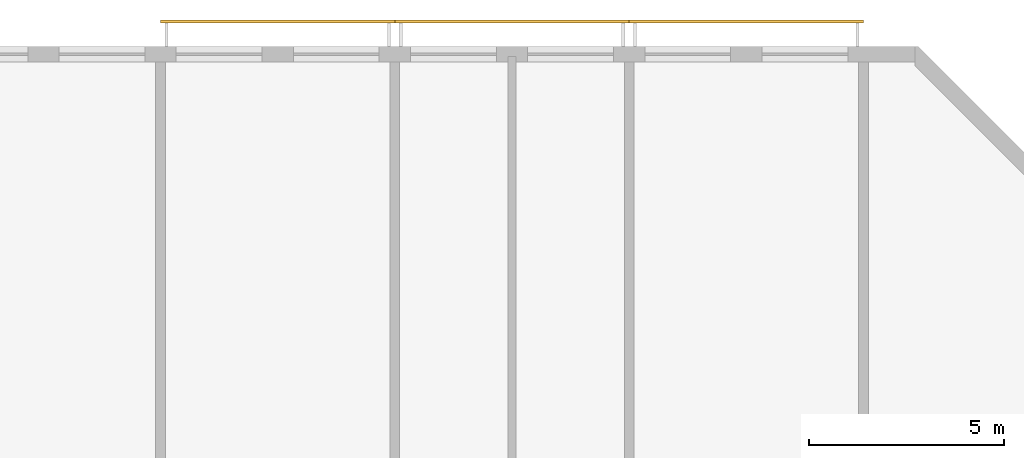
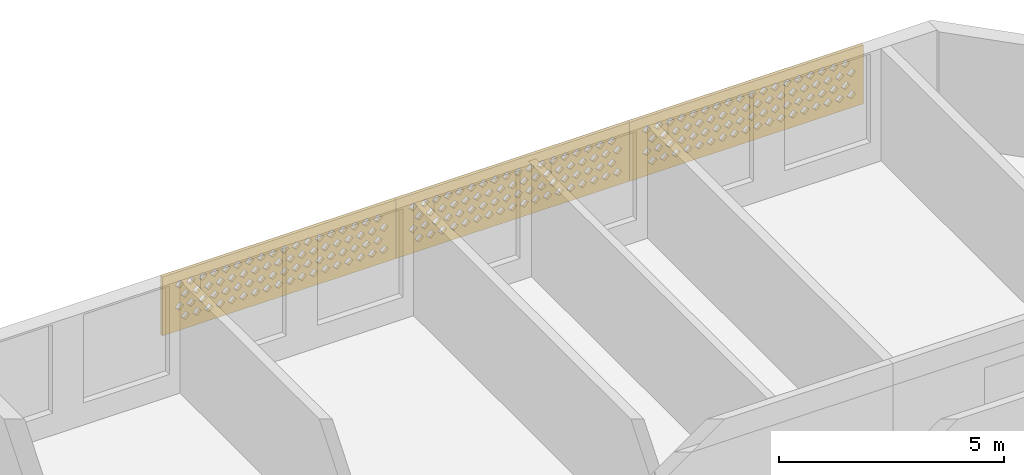
# One storey, part 17 of 18: 3 coverings.
"""IFC4 building model written with IfcOpenShell, lengths in metres."""

from ifc_helpers import new_model, si_unit, direction, frame, origin, place, context, subcontext, project, spatial, polyline, outline, extrude, source, transform, mapped, material, material_profile, profile_set, type_object, element, save


model = new_model("IFC4")

# Units and contexts
model_context = context("Model", 3, precision=1e-05, world=origin(), true_north=direction((0.0, 1.0)))
body_context = subcontext(model_context, "Body", "Model", "MODEL_VIEW")
ifc_project = project(units=[si_unit("LENGTHUNIT", "METRE"), si_unit("AREAUNIT", "SQUARE_METRE"), si_unit("VOLUMEUNIT", "CUBIC_METRE"), si_unit("PLANEANGLEUNIT", "RADIAN"), si_unit("MASSUNIT", "GRAM", prefix="KILO")], contexts=[model_context])

# Site, building, storey
site_placement = place(None, origin())
site = spatial("IfcSite", under=ifc_project, at=site_placement, CompositionType="ELEMENT")
building_placement = place(site_placement, origin())
building = spatial("IfcBuilding", under=site, at=building_placement, Name="Poui Terraces", CompositionType="ELEMENT")
storey_placement = place(building_placement, frame((0.0, 0.0, 275.699951171875)))
storey = spatial("IfcBuildingStorey", under=building, at=storey_placement, Name="L76 CROWN", CompositionType="ELEMENT", Elevation=275.699951171875)

# Coverings
ifc_material = material(Name="Terracotta screen", Category="masonry")
ifc_material_profile = material_profile(ifc_material, outline(polyline([(-3.0, -0.800048828125), (3.0, -0.800048828125), (3.0, 0.800048828125), (-3.0, 0.800048828125), (-3.0, -0.800048828125)]), holes=[polyline([(-2.800048828125, -0.449951171875), (-2.68994140625, -0.56005859375), (-2.580078125, -0.449951171875), (-2.68994140625, -0.340087890625), (-2.800048828125, -0.449951171875)]), polyline([(-2.5, -0.449951171875), (-2.389892578125, -0.56005859375), (-2.280029296875, -0.449951171875), (-2.389892578125, -0.340087890625), (-2.5, -0.449951171875)]), polyline([(-2.199951171875, -0.449951171875), (-2.090087890625, -0.56005859375), (-1.97998046875, -0.449951171875), (-2.090087890625, -0.340087890625), (-2.199951171875, -0.449951171875)]), polyline([(-1.89990234375, -0.449951171875), (-1.7900390625, -0.56005859375), (-1.679931640625, -0.449951171875), (-1.7900390625, -0.340087890625), (-1.89990234375, -0.449951171875)]), polyline([(-1.60009765625, -0.449951171875), (-1.489990234375, -0.56005859375), (-1.3798828125, -0.449951171875), (-1.489990234375, -0.340087890625), (-1.60009765625, -0.449951171875)]), polyline([(-1.300048828125, -0.449951171875), (-1.18994140625, -0.56005859375), (-1.080078125, -0.449951171875), (-1.18994140625, -0.340087890625), (-1.300048828125, -0.449951171875)]), polyline([(-1.0, -0.449951171875), (-0.889892578125, -0.56005859375), (-0.780029296875, -0.449951171875), (-0.889892578125, -0.340087890625), (-1.0, -0.449951171875)]), polyline([(-0.699951171875, -0.449951171875), (-0.590087890625, -0.56005859375), (-0.47998046875, -0.449951171875), (-0.590087890625, -0.340087890625), (-0.699951171875, -0.449951171875)]), polyline([(-0.39990234375, -0.449951171875), (-0.2900390625, -0.56005859375), (-0.179931640625, -0.449951171875), (-0.2900390625, -0.340087890625), (-0.39990234375, -0.449951171875)]), polyline([(-0.10009765625, -0.449951171875), (0.010009765625, -0.56005859375), (0.1201171875, -0.449951171875), (0.010009765625, -0.340087890625), (-0.10009765625, -0.449951171875)]), polyline([(0.199951171875, -0.449951171875), (0.31005859375, -0.56005859375), (0.419921875, -0.449951171875), (0.31005859375, -0.340087890625), (0.199951171875, -0.449951171875)]), polyline([(0.5, -0.449951171875), (0.610107421875, -0.56005859375), (0.719970703125, -0.449951171875), (0.610107421875, -0.340087890625), (0.5, -0.449951171875)]), polyline([(0.800048828125, -0.449951171875), (0.909912109375, -0.56005859375), (1.02001953125, -0.449951171875), (0.909912109375, -0.340087890625), (0.800048828125, -0.449951171875)]), polyline([(1.10009765625, -0.449951171875), (1.2099609375, -0.56005859375), (1.320068359375, -0.449951171875), (1.2099609375, -0.340087890625), (1.10009765625, -0.449951171875)]), polyline([(1.39990234375, -0.449951171875), (1.510009765625, -0.56005859375), (1.6201171875, -0.449951171875), (1.510009765625, -0.340087890625), (1.39990234375, -0.449951171875)]), polyline([(1.699951171875, -0.449951171875), (1.81005859375, -0.56005859375), (1.919921875, -0.449951171875), (1.81005859375, -0.340087890625), (1.699951171875, -0.449951171875)]), polyline([(2.0, -0.449951171875), (2.110107421875, -0.56005859375), (2.219970703125, -0.449951171875), (2.110107421875, -0.340087890625), (2.0, -0.449951171875)]), polyline([(2.300048828125, -0.449951171875), (2.409912109375, -0.56005859375), (2.52001953125, -0.449951171875), (2.409912109375, -0.340087890625), (2.300048828125, -0.449951171875)]), polyline([(-2.64990234375, -0.14990234375), (-2.5400390625, -0.260009765625), (-2.429931640625, -0.14990234375), (-2.5400390625, -0.0400390625), (-2.64990234375, -0.14990234375)]), polyline([(-2.35009765625, -0.14990234375), (-2.239990234375, -0.260009765625), (-2.1298828125, -0.14990234375), (-2.239990234375, -0.0400390625), (-2.35009765625, -0.14990234375)]), polyline([(-2.050048828125, -0.14990234375), (-1.93994140625, -0.260009765625), (-1.830078125, -0.14990234375), (-1.93994140625, -0.0400390625), (-2.050048828125, -0.14990234375)]), polyline([(-1.75, -0.14990234375), (-1.639892578125, -0.260009765625), (-1.530029296875, -0.14990234375), (-1.639892578125, -0.0400390625), (-1.75, -0.14990234375)]), polyline([(-1.449951171875, -0.14990234375), (-1.340087890625, -0.260009765625), (-1.22998046875, -0.14990234375), (-1.340087890625, -0.0400390625), (-1.449951171875, -0.14990234375)]), polyline([(-1.14990234375, -0.14990234375), (-1.0400390625, -0.260009765625), (-0.929931640625, -0.14990234375), (-1.0400390625, -0.0400390625), (-1.14990234375, -0.14990234375)]), polyline([(-0.85009765625, -0.14990234375), (-0.739990234375, -0.260009765625), (-0.6298828125, -0.14990234375), (-0.739990234375, -0.0400390625), (-0.85009765625, -0.14990234375)]), polyline([(-0.550048828125, -0.14990234375), (-0.43994140625, -0.260009765625), (-0.330078125, -0.14990234375), (-0.43994140625, -0.0400390625), (-0.550048828125, -0.14990234375)]), polyline([(-0.25, -0.14990234375), (-0.139892578125, -0.260009765625), (-0.030029296875, -0.14990234375), (-0.139892578125, -0.0400390625), (-0.25, -0.14990234375)]), polyline([(0.050048828125, -0.14990234375), (0.159912109375, -0.260009765625), (0.27001953125, -0.14990234375), (0.159912109375, -0.0400390625), (0.050048828125, -0.14990234375)]), polyline([(0.35009765625, -0.14990234375), (0.4599609375, -0.260009765625), (0.570068359375, -0.14990234375), (0.4599609375, -0.0400390625), (0.35009765625, -0.14990234375)]), polyline([(0.64990234375, -0.14990234375), (0.760009765625, -0.260009765625), (0.8701171875, -0.14990234375), (0.760009765625, -0.0400390625), (0.64990234375, -0.14990234375)]), polyline([(0.949951171875, -0.14990234375), (1.06005859375, -0.260009765625), (1.169921875, -0.14990234375), (1.06005859375, -0.0400390625), (0.949951171875, -0.14990234375)]), polyline([(1.25, -0.14990234375), (1.360107421875, -0.260009765625), (1.469970703125, -0.14990234375), (1.360107421875, -0.0400390625), (1.25, -0.14990234375)]), polyline([(1.550048828125, -0.14990234375), (1.659912109375, -0.260009765625), (1.77001953125, -0.14990234375), (1.659912109375, -0.0400390625), (1.550048828125, -0.14990234375)]), polyline([(1.85009765625, -0.14990234375), (1.9599609375, -0.260009765625), (2.070068359375, -0.14990234375), (1.9599609375, -0.0400390625), (1.85009765625, -0.14990234375)]), polyline([(2.14990234375, -0.14990234375), (2.260009765625, -0.260009765625), (2.3701171875, -0.14990234375), (2.260009765625, -0.0400390625), (2.14990234375, -0.14990234375)]), polyline([(2.449951171875, -0.14990234375), (2.56005859375, -0.260009765625), (2.669921875, -0.14990234375), (2.56005859375, -0.0400390625), (2.449951171875, -0.14990234375)]), polyline([(-2.800048828125, 0.14990234375), (-2.68994140625, 0.0400390625), (-2.580078125, 0.14990234375), (-2.68994140625, 0.260009765625), (-2.800048828125, 0.14990234375)]), polyline([(-2.5, 0.14990234375), (-2.389892578125, 0.0400390625), (-2.280029296875, 0.14990234375), (-2.389892578125, 0.260009765625), (-2.5, 0.14990234375)]), polyline([(-2.199951171875, 0.14990234375), (-2.090087890625, 0.0400390625), (-1.97998046875, 0.14990234375), (-2.090087890625, 0.260009765625), (-2.199951171875, 0.14990234375)]), polyline([(-1.89990234375, 0.14990234375), (-1.7900390625, 0.0400390625), (-1.679931640625, 0.14990234375), (-1.7900390625, 0.260009765625), (-1.89990234375, 0.14990234375)]), polyline([(-1.60009765625, 0.14990234375), (-1.489990234375, 0.0400390625), (-1.3798828125, 0.14990234375), (-1.489990234375, 0.260009765625), (-1.60009765625, 0.14990234375)]), polyline([(-1.300048828125, 0.14990234375), (-1.18994140625, 0.0400390625), (-1.080078125, 0.14990234375), (-1.18994140625, 0.260009765625), (-1.300048828125, 0.14990234375)]), polyline([(-1.0, 0.14990234375), (-0.889892578125, 0.0400390625), (-0.780029296875, 0.14990234375), (-0.889892578125, 0.260009765625), (-1.0, 0.14990234375)]), polyline([(-0.699951171875, 0.14990234375), (-0.590087890625, 0.0400390625), (-0.47998046875, 0.14990234375), (-0.590087890625, 0.260009765625), (-0.699951171875, 0.14990234375)]), polyline([(-0.39990234375, 0.14990234375), (-0.2900390625, 0.0400390625), (-0.179931640625, 0.14990234375), (-0.2900390625, 0.260009765625), (-0.39990234375, 0.14990234375)]), polyline([(-0.10009765625, 0.14990234375), (0.010009765625, 0.0400390625), (0.1201171875, 0.14990234375), (0.010009765625, 0.260009765625), (-0.10009765625, 0.14990234375)]), polyline([(0.199951171875, 0.14990234375), (0.31005859375, 0.0400390625), (0.419921875, 0.14990234375), (0.31005859375, 0.260009765625), (0.199951171875, 0.14990234375)]), polyline([(0.5, 0.14990234375), (0.610107421875, 0.0400390625), (0.719970703125, 0.14990234375), (0.610107421875, 0.260009765625), (0.5, 0.14990234375)]), polyline([(0.800048828125, 0.14990234375), (0.909912109375, 0.0400390625), (1.02001953125, 0.14990234375), (0.909912109375, 0.260009765625), (0.800048828125, 0.14990234375)]), polyline([(1.10009765625, 0.14990234375), (1.2099609375, 0.0400390625), (1.320068359375, 0.14990234375), (1.2099609375, 0.260009765625), (1.10009765625, 0.14990234375)]), polyline([(1.39990234375, 0.14990234375), (1.510009765625, 0.0400390625), (1.6201171875, 0.14990234375), (1.510009765625, 0.260009765625), (1.39990234375, 0.14990234375)]), polyline([(1.699951171875, 0.14990234375), (1.81005859375, 0.0400390625), (1.919921875, 0.14990234375), (1.81005859375, 0.260009765625), (1.699951171875, 0.14990234375)]), polyline([(2.0, 0.14990234375), (2.110107421875, 0.0400390625), (2.219970703125, 0.14990234375), (2.110107421875, 0.260009765625), (2.0, 0.14990234375)]), polyline([(2.300048828125, 0.14990234375), (2.409912109375, 0.0400390625), (2.52001953125, 0.14990234375), (2.409912109375, 0.260009765625), (2.300048828125, 0.14990234375)]), polyline([(-2.64990234375, 0.449951171875), (-2.5400390625, 0.340087890625), (-2.429931640625, 0.449951171875), (-2.5400390625, 0.56005859375), (-2.64990234375, 0.449951171875)]), polyline([(-2.35009765625, 0.449951171875), (-2.239990234375, 0.340087890625), (-2.1298828125, 0.449951171875), (-2.239990234375, 0.56005859375), (-2.35009765625, 0.449951171875)]), polyline([(-2.050048828125, 0.449951171875), (-1.93994140625, 0.340087890625), (-1.830078125, 0.449951171875), (-1.93994140625, 0.56005859375), (-2.050048828125, 0.449951171875)]), polyline([(-1.75, 0.449951171875), (-1.639892578125, 0.340087890625), (-1.530029296875, 0.449951171875), (-1.639892578125, 0.56005859375), (-1.75, 0.449951171875)]), polyline([(-1.449951171875, 0.449951171875), (-1.340087890625, 0.340087890625), (-1.22998046875, 0.449951171875), (-1.340087890625, 0.56005859375), (-1.449951171875, 0.449951171875)]), polyline([(-1.14990234375, 0.449951171875), (-1.0400390625, 0.340087890625), (-0.929931640625, 0.449951171875), (-1.0400390625, 0.56005859375), (-1.14990234375, 0.449951171875)]), polyline([(-0.85009765625, 0.449951171875), (-0.739990234375, 0.340087890625), (-0.6298828125, 0.449951171875), (-0.739990234375, 0.56005859375), (-0.85009765625, 0.449951171875)]), polyline([(-0.550048828125, 0.449951171875), (-0.43994140625, 0.340087890625), (-0.330078125, 0.449951171875), (-0.43994140625, 0.56005859375), (-0.550048828125, 0.449951171875)]), polyline([(-0.25, 0.449951171875), (-0.139892578125, 0.340087890625), (-0.030029296875, 0.449951171875), (-0.139892578125, 0.56005859375), (-0.25, 0.449951171875)]), polyline([(0.050048828125, 0.449951171875), (0.159912109375, 0.340087890625), (0.27001953125, 0.449951171875), (0.159912109375, 0.56005859375), (0.050048828125, 0.449951171875)]), polyline([(0.35009765625, 0.449951171875), (0.4599609375, 0.340087890625), (0.570068359375, 0.449951171875), (0.4599609375, 0.56005859375), (0.35009765625, 0.449951171875)]), polyline([(0.64990234375, 0.449951171875), (0.760009765625, 0.340087890625), (0.8701171875, 0.449951171875), (0.760009765625, 0.56005859375), (0.64990234375, 0.449951171875)]), polyline([(0.949951171875, 0.449951171875), (1.06005859375, 0.340087890625), (1.169921875, 0.449951171875), (1.06005859375, 0.56005859375), (0.949951171875, 0.449951171875)]), polyline([(1.25, 0.449951171875), (1.360107421875, 0.340087890625), (1.469970703125, 0.449951171875), (1.360107421875, 0.56005859375), (1.25, 0.449951171875)]), polyline([(1.550048828125, 0.449951171875), (1.659912109375, 0.340087890625), (1.77001953125, 0.449951171875), (1.659912109375, 0.56005859375), (1.550048828125, 0.449951171875)]), polyline([(1.85009765625, 0.449951171875), (1.9599609375, 0.340087890625), (2.070068359375, 0.449951171875), (1.9599609375, 0.56005859375), (1.85009765625, 0.449951171875)]), polyline([(2.14990234375, 0.449951171875), (2.260009765625, 0.340087890625), (2.3701171875, 0.449951171875), (2.260009765625, 0.56005859375), (2.14990234375, 0.449951171875)]), polyline([(2.449951171875, 0.449951171875), (2.56005859375, 0.340087890625), (2.669921875, 0.449951171875), (2.56005859375, 0.56005859375), (2.449951171875, 0.449951171875)])]), Name="TERRACOTTA SOLAR SCREEN 6000X1600")
ifc_profile_set = profile_set([ifc_material_profile], Name="Terracotta screen")
covering_type = type_object("IfcCoveringType", Name="TERRACOTTA SOLAR SCREEN 6000X1600", PredefinedType="CLADDING", material=ifc_profile_set)
shared_shape = source(origin(), body_context, "Body", "SweptSolid", [
    extrude(outline(polyline([(-3.0, -0.800048828125), (3.0, -0.800048828125), (3.0, 0.800048828125), (-3.0, 0.800048828125), (-3.0, -0.800048828125)]), holes=[polyline([(-2.800048828125, -0.449951171875), (-2.68994140625, -0.56005859375), (-2.580078125, -0.449951171875), (-2.68994140625, -0.340087890625), (-2.800048828125, -0.449951171875)]), polyline([(-2.5, -0.449951171875), (-2.389892578125, -0.56005859375), (-2.280029296875, -0.449951171875), (-2.389892578125, -0.340087890625), (-2.5, -0.449951171875)]), polyline([(-2.199951171875, -0.449951171875), (-2.090087890625, -0.56005859375), (-1.97998046875, -0.449951171875), (-2.090087890625, -0.340087890625), (-2.199951171875, -0.449951171875)]), polyline([(-1.89990234375, -0.449951171875), (-1.7900390625, -0.56005859375), (-1.679931640625, -0.449951171875), (-1.7900390625, -0.340087890625), (-1.89990234375, -0.449951171875)]), polyline([(-1.60009765625, -0.449951171875), (-1.489990234375, -0.56005859375), (-1.3798828125, -0.449951171875), (-1.489990234375, -0.340087890625), (-1.60009765625, -0.449951171875)]), polyline([(-1.300048828125, -0.449951171875), (-1.18994140625, -0.56005859375), (-1.080078125, -0.449951171875), (-1.18994140625, -0.340087890625), (-1.300048828125, -0.449951171875)]), polyline([(-1.0, -0.449951171875), (-0.889892578125, -0.56005859375), (-0.780029296875, -0.449951171875), (-0.889892578125, -0.340087890625), (-1.0, -0.449951171875)]), polyline([(-0.699951171875, -0.449951171875), (-0.590087890625, -0.56005859375), (-0.47998046875, -0.449951171875), (-0.590087890625, -0.340087890625), (-0.699951171875, -0.449951171875)]), polyline([(-0.39990234375, -0.449951171875), (-0.2900390625, -0.56005859375), (-0.179931640625, -0.449951171875), (-0.2900390625, -0.340087890625), (-0.39990234375, -0.449951171875)]), polyline([(-0.10009765625, -0.449951171875), (0.010009765625, -0.56005859375), (0.1201171875, -0.449951171875), (0.010009765625, -0.340087890625), (-0.10009765625, -0.449951171875)]), polyline([(0.199951171875, -0.449951171875), (0.31005859375, -0.56005859375), (0.419921875, -0.449951171875), (0.31005859375, -0.340087890625), (0.199951171875, -0.449951171875)]), polyline([(0.5, -0.449951171875), (0.610107421875, -0.56005859375), (0.719970703125, -0.449951171875), (0.610107421875, -0.340087890625), (0.5, -0.449951171875)]), polyline([(0.800048828125, -0.449951171875), (0.909912109375, -0.56005859375), (1.02001953125, -0.449951171875), (0.909912109375, -0.340087890625), (0.800048828125, -0.449951171875)]), polyline([(1.10009765625, -0.449951171875), (1.2099609375, -0.56005859375), (1.320068359375, -0.449951171875), (1.2099609375, -0.340087890625), (1.10009765625, -0.449951171875)]), polyline([(1.39990234375, -0.449951171875), (1.510009765625, -0.56005859375), (1.6201171875, -0.449951171875), (1.510009765625, -0.340087890625), (1.39990234375, -0.449951171875)]), polyline([(1.699951171875, -0.449951171875), (1.81005859375, -0.56005859375), (1.919921875, -0.449951171875), (1.81005859375, -0.340087890625), (1.699951171875, -0.449951171875)]), polyline([(2.0, -0.449951171875), (2.110107421875, -0.56005859375), (2.219970703125, -0.449951171875), (2.110107421875, -0.340087890625), (2.0, -0.449951171875)]), polyline([(2.300048828125, -0.449951171875), (2.409912109375, -0.56005859375), (2.52001953125, -0.449951171875), (2.409912109375, -0.340087890625), (2.300048828125, -0.449951171875)]), polyline([(-2.64990234375, -0.14990234375), (-2.5400390625, -0.260009765625), (-2.429931640625, -0.14990234375), (-2.5400390625, -0.0400390625), (-2.64990234375, -0.14990234375)]), polyline([(-2.35009765625, -0.14990234375), (-2.239990234375, -0.260009765625), (-2.1298828125, -0.14990234375), (-2.239990234375, -0.0400390625), (-2.35009765625, -0.14990234375)]), polyline([(-2.050048828125, -0.14990234375), (-1.93994140625, -0.260009765625), (-1.830078125, -0.14990234375), (-1.93994140625, -0.0400390625), (-2.050048828125, -0.14990234375)]), polyline([(-1.75, -0.14990234375), (-1.639892578125, -0.260009765625), (-1.530029296875, -0.14990234375), (-1.639892578125, -0.0400390625), (-1.75, -0.14990234375)]), polyline([(-1.449951171875, -0.14990234375), (-1.340087890625, -0.260009765625), (-1.22998046875, -0.14990234375), (-1.340087890625, -0.0400390625), (-1.449951171875, -0.14990234375)]), polyline([(-1.14990234375, -0.14990234375), (-1.0400390625, -0.260009765625), (-0.929931640625, -0.14990234375), (-1.0400390625, -0.0400390625), (-1.14990234375, -0.14990234375)]), polyline([(-0.85009765625, -0.14990234375), (-0.739990234375, -0.260009765625), (-0.6298828125, -0.14990234375), (-0.739990234375, -0.0400390625), (-0.85009765625, -0.14990234375)]), polyline([(-0.550048828125, -0.14990234375), (-0.43994140625, -0.260009765625), (-0.330078125, -0.14990234375), (-0.43994140625, -0.0400390625), (-0.550048828125, -0.14990234375)]), polyline([(-0.25, -0.14990234375), (-0.139892578125, -0.260009765625), (-0.030029296875, -0.14990234375), (-0.139892578125, -0.0400390625), (-0.25, -0.14990234375)]), polyline([(0.050048828125, -0.14990234375), (0.159912109375, -0.260009765625), (0.27001953125, -0.14990234375), (0.159912109375, -0.0400390625), (0.050048828125, -0.14990234375)]), polyline([(0.35009765625, -0.14990234375), (0.4599609375, -0.260009765625), (0.570068359375, -0.14990234375), (0.4599609375, -0.0400390625), (0.35009765625, -0.14990234375)]), polyline([(0.64990234375, -0.14990234375), (0.760009765625, -0.260009765625), (0.8701171875, -0.14990234375), (0.760009765625, -0.0400390625), (0.64990234375, -0.14990234375)]), polyline([(0.949951171875, -0.14990234375), (1.06005859375, -0.260009765625), (1.169921875, -0.14990234375), (1.06005859375, -0.0400390625), (0.949951171875, -0.14990234375)]), polyline([(1.25, -0.14990234375), (1.360107421875, -0.260009765625), (1.469970703125, -0.14990234375), (1.360107421875, -0.0400390625), (1.25, -0.14990234375)]), polyline([(1.550048828125, -0.14990234375), (1.659912109375, -0.260009765625), (1.77001953125, -0.14990234375), (1.659912109375, -0.0400390625), (1.550048828125, -0.14990234375)]), polyline([(1.85009765625, -0.14990234375), (1.9599609375, -0.260009765625), (2.070068359375, -0.14990234375), (1.9599609375, -0.0400390625), (1.85009765625, -0.14990234375)]), polyline([(2.14990234375, -0.14990234375), (2.260009765625, -0.260009765625), (2.3701171875, -0.14990234375), (2.260009765625, -0.0400390625), (2.14990234375, -0.14990234375)]), polyline([(2.449951171875, -0.14990234375), (2.56005859375, -0.260009765625), (2.669921875, -0.14990234375), (2.56005859375, -0.0400390625), (2.449951171875, -0.14990234375)]), polyline([(-2.800048828125, 0.14990234375), (-2.68994140625, 0.0400390625), (-2.580078125, 0.14990234375), (-2.68994140625, 0.260009765625), (-2.800048828125, 0.14990234375)]), polyline([(-2.5, 0.14990234375), (-2.389892578125, 0.0400390625), (-2.280029296875, 0.14990234375), (-2.389892578125, 0.260009765625), (-2.5, 0.14990234375)]), polyline([(-2.199951171875, 0.14990234375), (-2.090087890625, 0.0400390625), (-1.97998046875, 0.14990234375), (-2.090087890625, 0.260009765625), (-2.199951171875, 0.14990234375)]), polyline([(-1.89990234375, 0.14990234375), (-1.7900390625, 0.0400390625), (-1.679931640625, 0.14990234375), (-1.7900390625, 0.260009765625), (-1.89990234375, 0.14990234375)]), polyline([(-1.60009765625, 0.14990234375), (-1.489990234375, 0.0400390625), (-1.3798828125, 0.14990234375), (-1.489990234375, 0.260009765625), (-1.60009765625, 0.14990234375)]), polyline([(-1.300048828125, 0.14990234375), (-1.18994140625, 0.0400390625), (-1.080078125, 0.14990234375), (-1.18994140625, 0.260009765625), (-1.300048828125, 0.14990234375)]), polyline([(-1.0, 0.14990234375), (-0.889892578125, 0.0400390625), (-0.780029296875, 0.14990234375), (-0.889892578125, 0.260009765625), (-1.0, 0.14990234375)]), polyline([(-0.699951171875, 0.14990234375), (-0.590087890625, 0.0400390625), (-0.47998046875, 0.14990234375), (-0.590087890625, 0.260009765625), (-0.699951171875, 0.14990234375)]), polyline([(-0.39990234375, 0.14990234375), (-0.2900390625, 0.0400390625), (-0.179931640625, 0.14990234375), (-0.2900390625, 0.260009765625), (-0.39990234375, 0.14990234375)]), polyline([(-0.10009765625, 0.14990234375), (0.010009765625, 0.0400390625), (0.1201171875, 0.14990234375), (0.010009765625, 0.260009765625), (-0.10009765625, 0.14990234375)]), polyline([(0.199951171875, 0.14990234375), (0.31005859375, 0.0400390625), (0.419921875, 0.14990234375), (0.31005859375, 0.260009765625), (0.199951171875, 0.14990234375)]), polyline([(0.5, 0.14990234375), (0.610107421875, 0.0400390625), (0.719970703125, 0.14990234375), (0.610107421875, 0.260009765625), (0.5, 0.14990234375)]), polyline([(0.800048828125, 0.14990234375), (0.909912109375, 0.0400390625), (1.02001953125, 0.14990234375), (0.909912109375, 0.260009765625), (0.800048828125, 0.14990234375)]), polyline([(1.10009765625, 0.14990234375), (1.2099609375, 0.0400390625), (1.320068359375, 0.14990234375), (1.2099609375, 0.260009765625), (1.10009765625, 0.14990234375)]), polyline([(1.39990234375, 0.14990234375), (1.510009765625, 0.0400390625), (1.6201171875, 0.14990234375), (1.510009765625, 0.260009765625), (1.39990234375, 0.14990234375)]), polyline([(1.699951171875, 0.14990234375), (1.81005859375, 0.0400390625), (1.919921875, 0.14990234375), (1.81005859375, 0.260009765625), (1.699951171875, 0.14990234375)]), polyline([(2.0, 0.14990234375), (2.110107421875, 0.0400390625), (2.219970703125, 0.14990234375), (2.110107421875, 0.260009765625), (2.0, 0.14990234375)]), polyline([(2.300048828125, 0.14990234375), (2.409912109375, 0.0400390625), (2.52001953125, 0.14990234375), (2.409912109375, 0.260009765625), (2.300048828125, 0.14990234375)]), polyline([(-2.64990234375, 0.449951171875), (-2.5400390625, 0.340087890625), (-2.429931640625, 0.449951171875), (-2.5400390625, 0.56005859375), (-2.64990234375, 0.449951171875)]), polyline([(-2.35009765625, 0.449951171875), (-2.239990234375, 0.340087890625), (-2.1298828125, 0.449951171875), (-2.239990234375, 0.56005859375), (-2.35009765625, 0.449951171875)]), polyline([(-2.050048828125, 0.449951171875), (-1.93994140625, 0.340087890625), (-1.830078125, 0.449951171875), (-1.93994140625, 0.56005859375), (-2.050048828125, 0.449951171875)]), polyline([(-1.75, 0.449951171875), (-1.639892578125, 0.340087890625), (-1.530029296875, 0.449951171875), (-1.639892578125, 0.56005859375), (-1.75, 0.449951171875)]), polyline([(-1.449951171875, 0.449951171875), (-1.340087890625, 0.340087890625), (-1.22998046875, 0.449951171875), (-1.340087890625, 0.56005859375), (-1.449951171875, 0.449951171875)]), polyline([(-1.14990234375, 0.449951171875), (-1.0400390625, 0.340087890625), (-0.929931640625, 0.449951171875), (-1.0400390625, 0.56005859375), (-1.14990234375, 0.449951171875)]), polyline([(-0.85009765625, 0.449951171875), (-0.739990234375, 0.340087890625), (-0.6298828125, 0.449951171875), (-0.739990234375, 0.56005859375), (-0.85009765625, 0.449951171875)]), polyline([(-0.550048828125, 0.449951171875), (-0.43994140625, 0.340087890625), (-0.330078125, 0.449951171875), (-0.43994140625, 0.56005859375), (-0.550048828125, 0.449951171875)]), polyline([(-0.25, 0.449951171875), (-0.139892578125, 0.340087890625), (-0.030029296875, 0.449951171875), (-0.139892578125, 0.56005859375), (-0.25, 0.449951171875)]), polyline([(0.050048828125, 0.449951171875), (0.159912109375, 0.340087890625), (0.27001953125, 0.449951171875), (0.159912109375, 0.56005859375), (0.050048828125, 0.449951171875)]), polyline([(0.35009765625, 0.449951171875), (0.4599609375, 0.340087890625), (0.570068359375, 0.449951171875), (0.4599609375, 0.56005859375), (0.35009765625, 0.449951171875)]), polyline([(0.64990234375, 0.449951171875), (0.760009765625, 0.340087890625), (0.8701171875, 0.449951171875), (0.760009765625, 0.56005859375), (0.64990234375, 0.449951171875)]), polyline([(0.949951171875, 0.449951171875), (1.06005859375, 0.340087890625), (1.169921875, 0.449951171875), (1.06005859375, 0.56005859375), (0.949951171875, 0.449951171875)]), polyline([(1.25, 0.449951171875), (1.360107421875, 0.340087890625), (1.469970703125, 0.449951171875), (1.360107421875, 0.56005859375), (1.25, 0.449951171875)]), polyline([(1.550048828125, 0.449951171875), (1.659912109375, 0.340087890625), (1.77001953125, 0.449951171875), (1.659912109375, 0.56005859375), (1.550048828125, 0.449951171875)]), polyline([(1.85009765625, 0.449951171875), (1.9599609375, 0.340087890625), (2.070068359375, 0.449951171875), (1.9599609375, 0.56005859375), (1.85009765625, 0.449951171875)]), polyline([(2.14990234375, 0.449951171875), (2.260009765625, 0.340087890625), (2.3701171875, 0.449951171875), (2.260009765625, 0.56005859375), (2.14990234375, 0.449951171875)]), polyline([(2.449951171875, 0.449951171875), (2.56005859375, 0.340087890625), (2.669921875, 0.449951171875), (2.56005859375, 0.56005859375), (2.449951171875, 0.449951171875)])]), origin(), (0.0, 0.0, 1.0), 0.080078125),
])
for number, where, z_axis, x_axis, name in (
    (1, (63.0, 42.0, 1.699951171875), (0.0, 1.0, 0.0), (-1.0, 0.0, 0.0), "SOLAR SCREEN"),
    (2, (69.0, 42.0, 1.699951171875), (0.0, 1.0, 0.0), (-1.0, 0.0, 0.0), "SOLAR SCREEN"),
    (3, (75.0, 42.0, 1.699951171875), (0.0, 1.0, 0.0), (-1.0, 0.0, 0.0), "SOLAR SCREEN"),
):
    element("IfcCovering", number, at=place(storey_placement, frame(where, z_axis=z_axis, x_axis=x_axis)), inside=storey, type_object=covering_type, Name=name, PredefinedType="CLADDING", context=body_context, shape_type="MappedRepresentation", body=[
        mapped(shared_shape, transform((0.0, 0.0, 0.0))),
    ])

save(model, "model.ifc")
